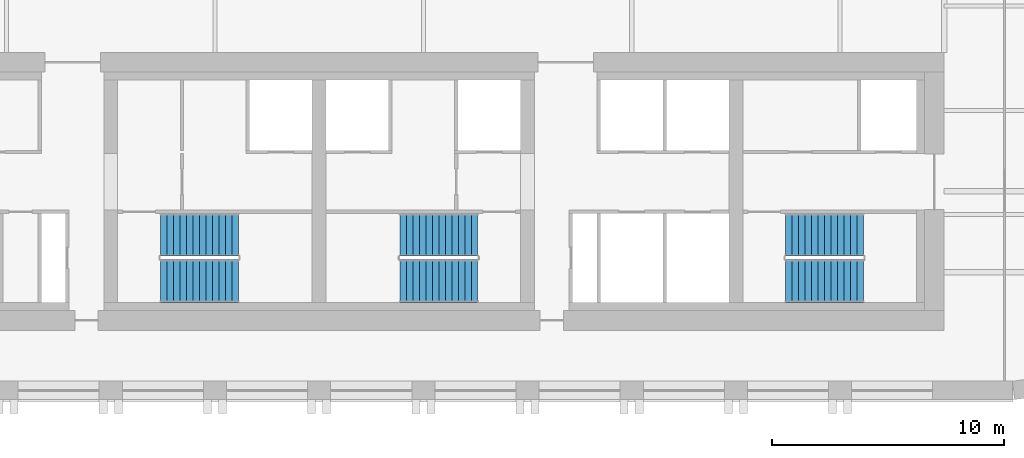
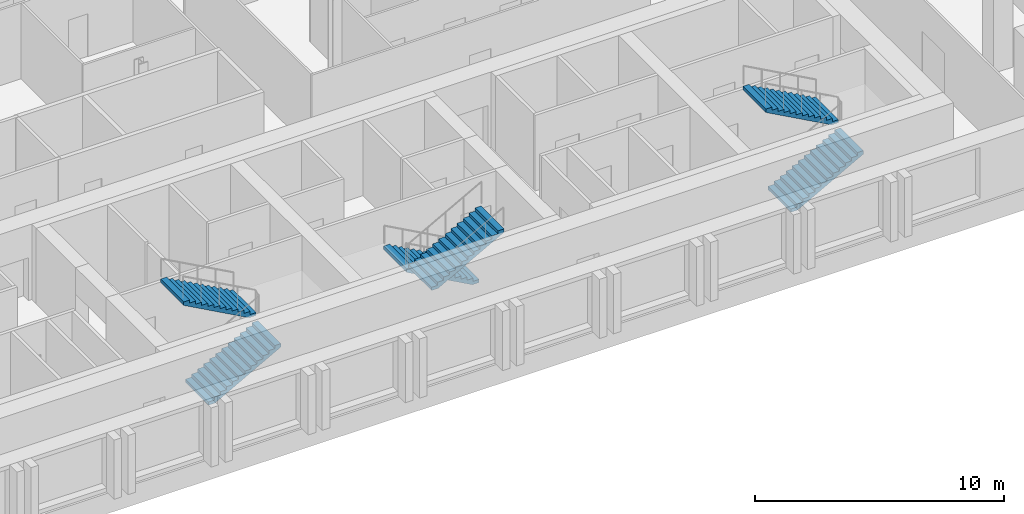
# One storey, part 9 of 11: 6 stair flights, 3 elements without a shape of their own.
"""IFC4 building model written with IfcOpenShell, lengths in metres."""

from ifc_helpers import new_model, si_unit, direction, frame, origin, place, context, subcontext, project, spatial, polyline, outline, extrude, material, type_object, element, aggregate, save


model = new_model("IFC4")

# Units and contexts
model_context = context("Model", 3, precision=1e-05, world=origin(), true_north=direction((0.0, 1.0)))
body_context = subcontext(model_context, "Body", "Model", "MODEL_VIEW")
ifc_project = project(units=[si_unit("LENGTHUNIT", "METRE"), si_unit("AREAUNIT", "SQUARE_METRE"), si_unit("VOLUMEUNIT", "CUBIC_METRE"), si_unit("PLANEANGLEUNIT", "RADIAN"), si_unit("MASSUNIT", "GRAM", prefix="KILO")], contexts=[model_context])

# Site, building, storey
site_placement = place(None, origin())
site = spatial("IfcSite", under=ifc_project, at=site_placement, CompositionType="ELEMENT")
building_placement = place(site_placement, origin())
building = spatial("IfcBuilding", under=site, at=building_placement, Name="Zellij Exchange Tower", CompositionType="ELEMENT")
storey_placement = place(building_placement, frame((0.0, 0.0, 208.5)))
storey = spatial("IfcBuildingStorey", under=building, at=storey_placement, Name="L48", CompositionType="ELEMENT", Elevation=208.5)

# Stair, stair flights
ifc_material = material(Name="Concrete C40/50", Category="concrete")
stair_type = type_object("IfcStairType", Name="CORE-ST exit stair 1850 wide", PredefinedType="HALF_TURN_STAIR", material=ifc_material)
stair_1_placement = place(storey_placement, origin())
stair_1 = element("IfcStair", 1, at=stair_1_placement, inside=storey, type_object=stair_type, Name="L48 exit stair ST2", PredefinedType="HALF_TURN_STAIR")
stair_flight_type = type_object("IfcStairFlightType", Name="CORE-SF flight 1850 riser 153.8 going 280", PredefinedType="STRAIGHT", material=ifc_material)
stair_flight_1_placement = place(storey_placement, frame((-6.85009765625, -11.875, 0.0), z_axis=(0.0, 0.0, 1.0), x_axis=(1.0, 0.0, 0.0)))
stair_flight_1 = element("IfcStairFlight", 2, at=stair_flight_1_placement, type_object=stair_flight_type, Name="ST2 flight 1", NumberOfRisers=13, NumberOfTreads=12, PredefinedType="STRAIGHT", RiserHeight=0.153846154, TreadLength=0.28, context=body_context, shape_type="SweptSolid", body=[
    extrude(outline(polyline([(0.0, 0.0), (0.0, 0.15380859375), (0.280029296875, 0.15380859375), (0.280029296875, 0.3076171875), (0.56005859375, 0.3076171875), (0.56005859375, 0.46142578125), (0.840087890625, 0.46142578125), (0.840087890625, 0.615478515625), (1.1201171875, 0.615478515625), (1.1201171875, 0.769287109375), (1.39990234375, 0.769287109375), (1.39990234375, 0.923095703125), (1.679931640625, 0.923095703125), (1.679931640625, 1.076904296875), (1.9599609375, 1.076904296875), (1.9599609375, 1.230712890625), (2.239990234375, 1.230712890625), (2.239990234375, 1.384521484375), (2.52001953125, 1.384521484375), (2.52001953125, 1.53857421875), (2.800048828125, 1.53857421875), (2.800048828125, 1.6923828125), (3.080078125, 1.6923828125), (3.080078125, 1.84619140625), (3.360107421875, 1.84619140625), (3.360107421875, 2.0), (3.360107421875, 1.675048828125), (0.311279296875, 0.0), (0.0, 0.0)])), frame((0.0, 0.925048828125, 0.0), z_axis=(0.0, -1.0, 0.0), x_axis=(1.0, 0.0, 0.0)), (0.0, 0.0, 1.0), 1.85009765625),
])
stair_flight_2_placement = place(storey_placement, frame((-3.489990234375, -9.875, 2.0), z_axis=(0.0, 0.0, 1.0), x_axis=(-1.0, 0.0, 0.0)))
stair_flight_2 = element("IfcStairFlight", 3, at=stair_flight_2_placement, type_object=stair_flight_type, Name="ST2 flight 2", NumberOfRisers=13, NumberOfTreads=12, PredefinedType="STRAIGHT", RiserHeight=0.153846154, TreadLength=0.28, context=body_context, shape_type="SweptSolid", body=[
    extrude(outline(polyline([(0.0, 0.0), (0.0, 0.15380859375), (0.280029296875, 0.15380859375), (0.280029296875, 0.3076171875), (0.56005859375, 0.3076171875), (0.56005859375, 0.46142578125), (0.840087890625, 0.46142578125), (0.840087890625, 0.615478515625), (1.1201171875, 0.615478515625), (1.1201171875, 0.769287109375), (1.39990234375, 0.769287109375), (1.39990234375, 0.923095703125), (1.679931640625, 0.923095703125), (1.679931640625, 1.076904296875), (1.9599609375, 1.076904296875), (1.9599609375, 1.230712890625), (2.239990234375, 1.230712890625), (2.239990234375, 1.384521484375), (2.52001953125, 1.384521484375), (2.52001953125, 1.53857421875), (2.800048828125, 1.53857421875), (2.800048828125, 1.6923828125), (3.080078125, 1.6923828125), (3.080078125, 1.84619140625), (3.360107421875, 1.84619140625), (3.360107421875, 2.0), (3.360107421875, 1.675048828125), (0.311279296875, 0.0), (0.0, 0.0)])), frame((0.0, 0.925048828125, 0.0), z_axis=(0.0, -1.0, 0.0), x_axis=(1.0, 0.0, 0.0)), (0.0, 0.0, 1.0), 1.85009765625),
])
aggregate(stair_1, [stair_flight_1, stair_flight_2])

stair_2_placement = place(storey_placement, origin())
stair_2 = element("IfcStair", 4, at=stair_2_placement, inside=storey, type_object=stair_type, Name="L48 exit stair ST3", PredefinedType="HALF_TURN_STAIR")
stair_flight_3_placement = place(storey_placement, frame((6.85009765625, -9.875, 0.0), z_axis=(0.0, 0.0, 1.0), x_axis=(-1.0, 0.0, 0.0)))
stair_flight_3 = element("IfcStairFlight", 5, at=stair_flight_3_placement, type_object=stair_flight_type, Name="ST3 flight 1", NumberOfRisers=13, NumberOfTreads=12, PredefinedType="STRAIGHT", RiserHeight=0.153846154, TreadLength=0.28, context=body_context, shape_type="SweptSolid", body=[
    extrude(outline(polyline([(0.0, 0.0), (0.0, 0.15380859375), (0.280029296875, 0.15380859375), (0.280029296875, 0.3076171875), (0.56005859375, 0.3076171875), (0.56005859375, 0.46142578125), (0.840087890625, 0.46142578125), (0.840087890625, 0.615478515625), (1.1201171875, 0.615478515625), (1.1201171875, 0.769287109375), (1.39990234375, 0.769287109375), (1.39990234375, 0.923095703125), (1.679931640625, 0.923095703125), (1.679931640625, 1.076904296875), (1.9599609375, 1.076904296875), (1.9599609375, 1.230712890625), (2.239990234375, 1.230712890625), (2.239990234375, 1.384521484375), (2.52001953125, 1.384521484375), (2.52001953125, 1.53857421875), (2.800048828125, 1.53857421875), (2.800048828125, 1.6923828125), (3.080078125, 1.6923828125), (3.080078125, 1.84619140625), (3.360107421875, 1.84619140625), (3.360107421875, 2.0), (3.360107421875, 1.675048828125), (0.311279296875, 0.0), (0.0, 0.0)])), frame((0.0, 0.925048828125, 0.0), z_axis=(0.0, -1.0, 0.0), x_axis=(1.0, 0.0, 0.0)), (0.0, 0.0, 1.0), 1.85009765625),
])
stair_flight_4_placement = place(storey_placement, frame((3.489990234375, -11.875, 2.0), z_axis=(0.0, 0.0, 1.0), x_axis=(1.0, 0.0, 0.0)))
stair_flight_4 = element("IfcStairFlight", 6, at=stair_flight_4_placement, type_object=stair_flight_type, Name="ST3 flight 2", NumberOfRisers=13, NumberOfTreads=12, PredefinedType="STRAIGHT", RiserHeight=0.153846154, TreadLength=0.28, context=body_context, shape_type="SweptSolid", body=[
    extrude(outline(polyline([(0.0, 0.0), (0.0, 0.15380859375), (0.280029296875, 0.15380859375), (0.280029296875, 0.3076171875), (0.56005859375, 0.3076171875), (0.56005859375, 0.46142578125), (0.840087890625, 0.46142578125), (0.840087890625, 0.615478515625), (1.1201171875, 0.615478515625), (1.1201171875, 0.769287109375), (1.39990234375, 0.769287109375), (1.39990234375, 0.923095703125), (1.679931640625, 0.923095703125), (1.679931640625, 1.076904296875), (1.9599609375, 1.076904296875), (1.9599609375, 1.230712890625), (2.239990234375, 1.230712890625), (2.239990234375, 1.384521484375), (2.52001953125, 1.384521484375), (2.52001953125, 1.53857421875), (2.800048828125, 1.53857421875), (2.800048828125, 1.6923828125), (3.080078125, 1.6923828125), (3.080078125, 1.84619140625), (3.360107421875, 1.84619140625), (3.360107421875, 2.0), (3.360107421875, 1.675048828125), (0.311279296875, 0.0), (0.0, 0.0)])), frame((0.0, 0.925048828125, 0.0), z_axis=(0.0, -1.0, 0.0), x_axis=(1.0, 0.0, 0.0)), (0.0, 0.0, 1.0), 1.85009765625),
])
aggregate(stair_2, [stair_flight_3, stair_flight_4])

stair_3_placement = place(storey_placement, origin())
stair_3 = element("IfcStair", 7, at=stair_3_placement, inside=storey, type_object=stair_type, Name="L48 exit stair ST4", PredefinedType="HALF_TURN_STAIR")
stair_flight_5_placement = place(storey_placement, frame((20.14990234375, -11.875, 0.0), z_axis=(0.0, 0.0, 1.0), x_axis=(1.0, 0.0, 0.0)))
stair_flight_5 = element("IfcStairFlight", 8, at=stair_flight_5_placement, type_object=stair_flight_type, Name="ST4 flight 1", NumberOfRisers=13, NumberOfTreads=12, PredefinedType="STRAIGHT", RiserHeight=0.153846154, TreadLength=0.28, context=body_context, shape_type="SweptSolid", body=[
    extrude(outline(polyline([(0.0, 0.0), (0.0, 0.15380859375), (0.280029296875, 0.15380859375), (0.280029296875, 0.3076171875), (0.56005859375, 0.3076171875), (0.56005859375, 0.46142578125), (0.840087890625, 0.46142578125), (0.840087890625, 0.615478515625), (1.1201171875, 0.615478515625), (1.1201171875, 0.769287109375), (1.39990234375, 0.769287109375), (1.39990234375, 0.923095703125), (1.679931640625, 0.923095703125), (1.679931640625, 1.076904296875), (1.9599609375, 1.076904296875), (1.9599609375, 1.230712890625), (2.239990234375, 1.230712890625), (2.239990234375, 1.384521484375), (2.52001953125, 1.384521484375), (2.52001953125, 1.53857421875), (2.800048828125, 1.53857421875), (2.800048828125, 1.6923828125), (3.080078125, 1.6923828125), (3.080078125, 1.84619140625), (3.360107421875, 1.84619140625), (3.360107421875, 2.0), (3.360107421875, 1.675048828125), (0.311279296875, 0.0), (0.0, 0.0)])), frame((0.0, 0.925048828125, 0.0), z_axis=(0.0, -1.0, 0.0), x_axis=(1.0, 0.0, 0.0)), (0.0, 0.0, 1.0), 1.85009765625),
])
stair_flight_6_placement = place(storey_placement, frame((23.510009765625, -9.875, 2.0), z_axis=(0.0, 0.0, 1.0), x_axis=(-1.0, 0.0, 0.0)))
stair_flight_6 = element("IfcStairFlight", 9, at=stair_flight_6_placement, type_object=stair_flight_type, Name="ST4 flight 2", NumberOfRisers=13, NumberOfTreads=12, PredefinedType="STRAIGHT", RiserHeight=0.153846154, TreadLength=0.28, context=body_context, shape_type="SweptSolid", body=[
    extrude(outline(polyline([(0.0, 0.0), (0.0, 0.15380859375), (0.280029296875, 0.15380859375), (0.280029296875, 0.3076171875), (0.56005859375, 0.3076171875), (0.56005859375, 0.46142578125), (0.840087890625, 0.46142578125), (0.840087890625, 0.615478515625), (1.1201171875, 0.615478515625), (1.1201171875, 0.769287109375), (1.39990234375, 0.769287109375), (1.39990234375, 0.923095703125), (1.679931640625, 0.923095703125), (1.679931640625, 1.076904296875), (1.9599609375, 1.076904296875), (1.9599609375, 1.230712890625), (2.239990234375, 1.230712890625), (2.239990234375, 1.384521484375), (2.52001953125, 1.384521484375), (2.52001953125, 1.53857421875), (2.800048828125, 1.53857421875), (2.800048828125, 1.6923828125), (3.080078125, 1.6923828125), (3.080078125, 1.84619140625), (3.360107421875, 1.84619140625), (3.360107421875, 2.0), (3.360107421875, 1.675048828125), (0.311279296875, 0.0), (0.0, 0.0)])), frame((0.0, 0.925048828125, 0.0), z_axis=(0.0, -1.0, 0.0), x_axis=(1.0, 0.0, 0.0)), (0.0, 0.0, 1.0), 1.85009765625),
])
aggregate(stair_3, [stair_flight_5, stair_flight_6])

save(model, "model.ifc")
